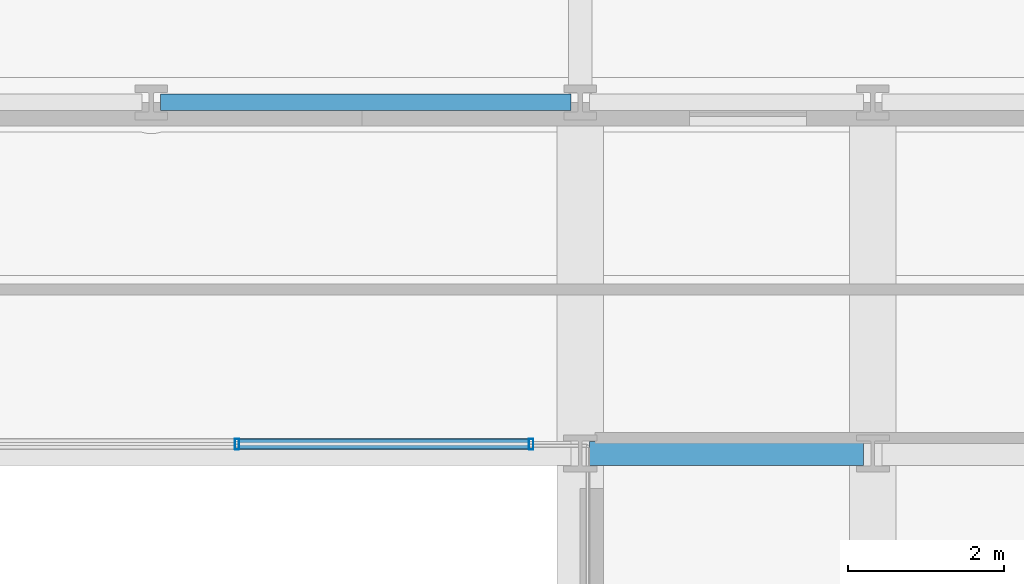
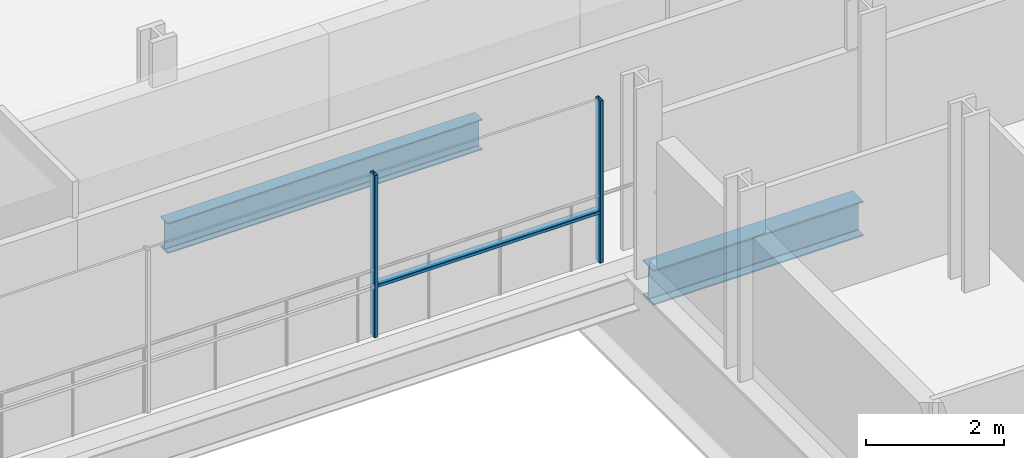
# One storey, part 17 of 38: 3 members, 2 beams, 1 element without a shape of its own.
"""IFC4 building model written with IfcOpenShell, lengths in metres."""

from ifc_helpers import new_model, si_unit, direction, frame, origin, origin_2d, place, context, subcontext, project, spatial, hollow_rectangle, i_section, extrude, material, layer, layer_set, material_profile, profile_set, type_object, element, aggregate, save


model = new_model("IFC4")

# Units and contexts
model_context = context("Model", 3, precision=1e-05, world=origin(), true_north=direction((0.0, 1.0)))
body_context = subcontext(model_context, "Body", "Model", "MODEL_VIEW")
ifc_project = project(units=[si_unit("LENGTHUNIT", "METRE"), si_unit("AREAUNIT", "SQUARE_METRE"), si_unit("VOLUMEUNIT", "CUBIC_METRE"), si_unit("PLANEANGLEUNIT", "RADIAN"), si_unit("MASSUNIT", "GRAM", prefix="KILO")], contexts=[model_context])

# Site, building, storey
site_placement = place(None, origin())
site = spatial("IfcSite", under=ifc_project, at=site_placement, CompositionType="ELEMENT")
building_placement = place(site_placement, origin())
building = spatial("IfcBuilding", under=site, at=building_placement, Name="Brevholm Reach", CompositionType="ELEMENT")
storey_placement = place(building_placement, frame((0.0, 0.0, 28.0)))
storey = spatial("IfcBuildingStorey", under=building, at=storey_placement, Name="L06", CompositionType="ELEMENT", Elevation=28.0)

# Beams
ifc_material_1 = material(Name="Structural Steel S355J2", Category="steel")
ifc_material_profile_1 = material_profile(ifc_material_1, i_section(OverallWidth=0.210693359375, OverallDepth=0.53955078125, WebThickness=0.01171875, FlangeThickness=0.018798828125, FilletRadius=0.0126953125, at=origin_2d()), Name="UKB 533x210x109")
ifc_profile_set_1 = profile_set([ifc_material_profile_1], Name="Structural Steel S355J2")
beam_type_1 = type_object("IfcBeamType", Name="BM-SP539", PredefinedType="SPANDREL", material=ifc_profile_set_1)
beam_1_placement = place(storey_placement, frame((32.8701171875, 31.0, -0.539794921875), z_axis=(1.0, 0.0, 0.0), x_axis=(0.0, 1.0, 0.0)))
element("IfcBeam", 1, at=beam_1_placement, inside=storey, type_object=beam_type_1, Name="L06 SP-01B Framing Beam", PredefinedType="SPANDREL", context=body_context, shape_type="SweptSolid", body=[
    extrude(i_section(OverallWidth=0.210693359375, OverallDepth=0.53955078125, WebThickness=0.01171875, FlangeThickness=0.018798828125, FilletRadius=0.0126953125, at=origin_2d()), origin(), (0.0, 0.0, 1.0), 5.259765625),
])
ifc_material_2 = material(Name="Structural Steel S355J2", Category="steel")
ifc_material_profile_2 = material_profile(ifc_material_2, i_section(OverallWidth=0.30712890625, OverallDepth=0.6201171875, WebThickness=0.01416015625, FlangeThickness=0.023681640625, FilletRadius=0.0166015625, at=origin_2d()), Name="UKB 610x305x179")
ifc_profile_set_2 = profile_set([ifc_material_profile_2], Name="Structural Steel S355J2")
beam_type_2 = type_object("IfcBeamType", Name="BM-UKB610H", PredefinedType="USERDEFINED", material=ifc_profile_set_2)
beam_2_placement = place(storey_placement, frame((38.3701171875, 26.5, -0.580078125), z_axis=(1.0, 0.0, 0.0), x_axis=(0.0, 1.0, 0.0)))
element("IfcBeam", 2, at=beam_2_placement, inside=storey, type_object=beam_type_2, Name="L06 G-06 Framing Beam", ObjectType="GIRDER", PredefinedType="USERDEFINED", context=body_context, shape_type="SweptSolid", body=[
    extrude(i_section(OverallWidth=0.30712890625, OverallDepth=0.6201171875, WebThickness=0.01416015625, FlangeThickness=0.023681640625, FilletRadius=0.0166015625, at=origin_2d()), origin(), (0.0, 0.0, 1.0), 3.509765625),
])

# Curtain wall, members
ifc_material_3 = material(Name="Dark Anodised Aluminium 6063-T6 and Solar-Control Glass", Category="aluminium")
ifc_layer = layer(ifc_material_3, 0.139892578125)
ifc_layer_set = layer_set([ifc_layer], Name="Dark Anodised Aluminium 6063-T6 and Solar-Control Glass")
curtain_wall_type = type_object("IfcCurtainWallType", Name="CW-02", PredefinedType="NOTDEFINED", material=ifc_layer_set)
curtain_wall_placement = place(storey_placement, origin())
curtain_wall = element("IfcCurtainWall", 3, at=curtain_wall_placement, inside=storey, type_object=curtain_wall_type, Name="L06 Curtain Wall CW-02", PredefinedType="NOTDEFINED")
ifc_material_4 = material(Name="Dark Anodised Aluminium 6063-T6", Category="aluminium")
ifc_material_profile_3 = material_profile(ifc_material_4, hollow_rectangle(XDim=0.06005859375, YDim=0.139892578125, WallThickness=0.0048828125, InnerFilletRadius=0.0048828125, OuterFilletRadius=0.010009765625, at=origin_2d()), Name="RHS 140x60x5")
ifc_profile_set_3 = profile_set([ifc_material_profile_3], Name="Dark Anodised Aluminium 6063-T6")
member_type_1 = type_object("IfcMemberType", Name="CWM-140", PredefinedType="MULLION", material=ifc_profile_set_3)
member_1_placement = place(storey_placement, frame((37.6201171875, 26.6201171875, 0.0), z_axis=(0.0, 0.0, 1.0), x_axis=(-1.0, 0.0, 0.0)))
member_1 = element("IfcMember", 4, at=member_1_placement, type_object=member_type_1, Name="CM-140 Mullion 1", PredefinedType="MULLION", context=body_context, shape_type="SweptSolid", body=[
    extrude(hollow_rectangle(XDim=0.06005859375, YDim=0.139892578125, WallThickness=0.0048828125, InnerFilletRadius=0.0048828125, OuterFilletRadius=0.010009765625, at=origin_2d()), origin(), (0.0, 0.0, 1.0), 2.8701171875),
])
member_2_placement = place(storey_placement, frame((33.85009765625, 26.6201171875, 0.0), z_axis=(0.0, 0.0, 1.0), x_axis=(-1.0, 0.0, 0.0)))
member_2 = element("IfcMember", 5, at=member_2_placement, type_object=member_type_1, Name="CM-140 Mullion 2", PredefinedType="MULLION", context=body_context, shape_type="SweptSolid", body=[
    extrude(hollow_rectangle(XDim=0.06005859375, YDim=0.139892578125, WallThickness=0.0048828125, InnerFilletRadius=0.0048828125, OuterFilletRadius=0.010009765625, at=origin_2d()), origin(), (0.0, 0.0, 1.0), 2.8701171875),
])
ifc_material_5 = material(Name="Dark Anodised Aluminium 6063-T6", Category="aluminium")
ifc_material_profile_4 = material_profile(ifc_material_5, hollow_rectangle(XDim=0.06005859375, YDim=0.139892578125, WallThickness=0.0048828125, InnerFilletRadius=0.0048828125, OuterFilletRadius=0.010009765625, at=origin_2d()), Name="RHS 140x60x5")
ifc_profile_set_4 = profile_set([ifc_material_profile_4], Name="Dark Anodised Aluminium 6063-T6")
member_type_2 = type_object("IfcMemberType", Name="CWT-140", PredefinedType="NOTDEFINED", material=ifc_profile_set_4)
member_3_placement = place(storey_placement, frame((37.590087890625, 26.6201171875, 0.89990234375), z_axis=(-1.0, 0.0, 0.0), x_axis=(0.0, 0.0, 1.0)))
member_3 = element("IfcMember", 6, at=member_3_placement, type_object=member_type_2, Name="CT-140 Transom 1.1", ObjectType="TRANSOM", PredefinedType="USERDEFINED", context=body_context, shape_type="SweptSolid", body=[
    extrude(hollow_rectangle(XDim=0.06005859375, YDim=0.139892578125, WallThickness=0.0048828125, InnerFilletRadius=0.0048828125, OuterFilletRadius=0.010009765625, at=origin_2d()), origin(), (0.0, 0.0, 1.0), 3.710205078125),
])
aggregate(curtain_wall, [member_1, member_2, member_3])

save(model, "model.ifc")
